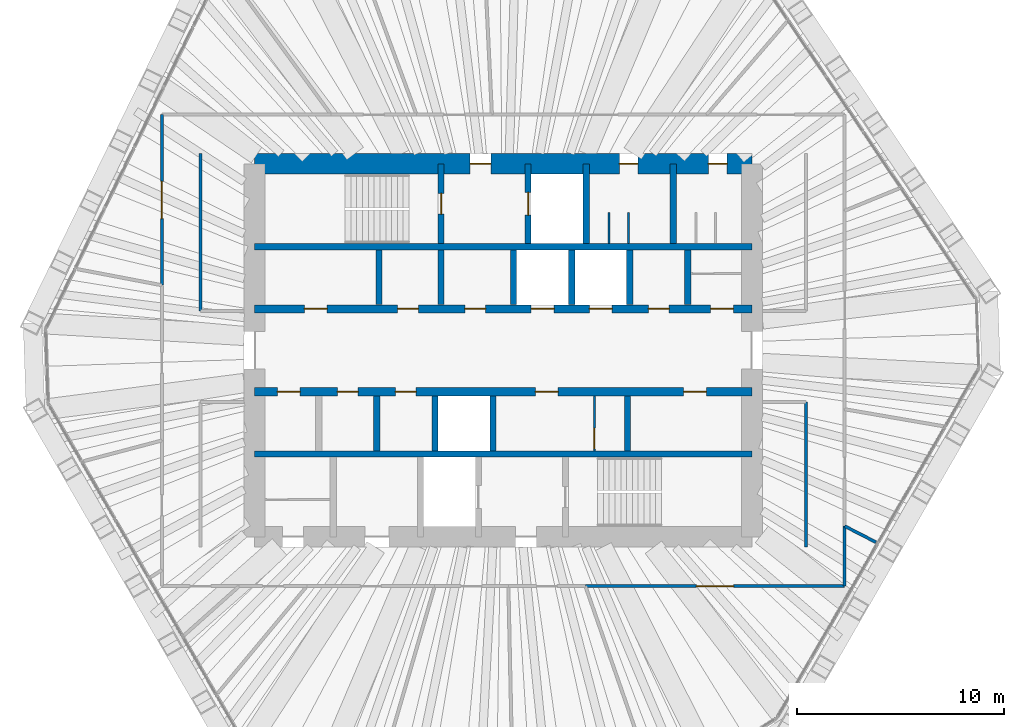
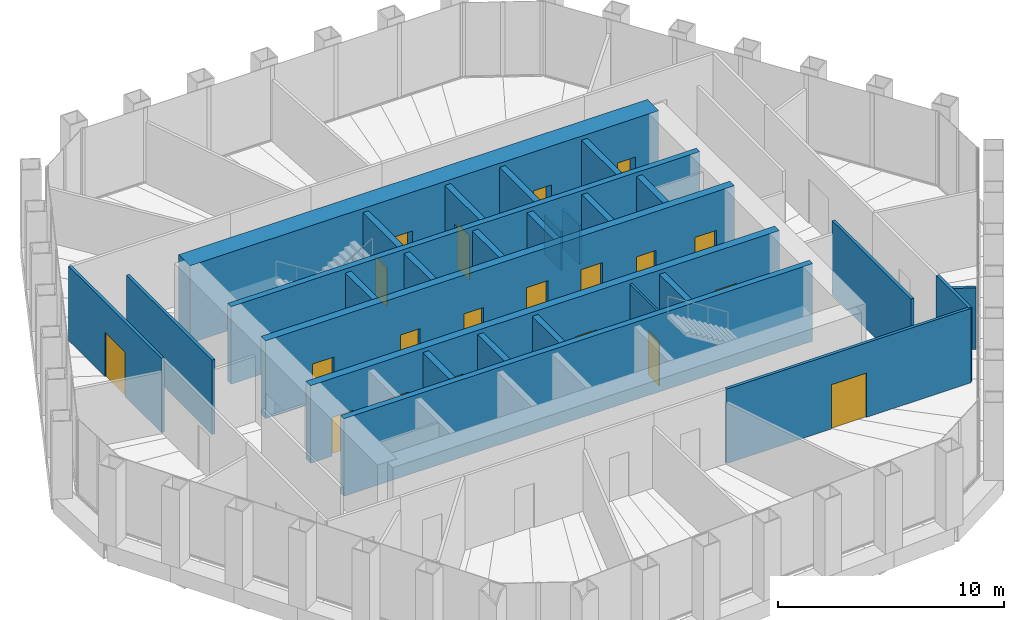
# One storey, part 12 of 14: 28 walls, 20 doors, 20 openings.
"""IFC4 building model written with IfcOpenShell, lengths in metres."""

import ifcopenshell
import ifcopenshell.guid

model = None  # the IFC model being written
_history = None  # IfcOwnerHistory: only IFC2X3 demands one
_inside = {}  # id of a spatial element -> (the spatial element, [elements in it])
_under = {}  # id of a project, library or spatial element -> (it, [spatial elements below it])
_declared = {}  # id of a project -> (the project, [libraries it declares])
_typed = {}  # id of a type object -> (the type object, [elements of that type])
_made_of = {}  # id of a material, layer set ... -> (it, [elements and type objects made of it])


def new_model(schema):
    """Start an empty IFC model of exactly this schema.

    Asked for "IFC4X3", IfcOpenShell would pick the latest addendum, in which some entities
    have other attributes; the version numbers below select the first issue.
    IFC2X3 requires an IfcOwnerHistory on every rooted entity: one is made here for all.
    """
    global model, _history
    if schema == "IFC4X3":
        model = ifcopenshell.file(schema_version=(4, 3, 0, 0))
    else:
        model = ifcopenshell.file(schema=schema)
    _inside.clear()
    _under.clear()
    _declared.clear()
    _typed.clear()
    _made_of.clear()
    _history = None
    if model.schema == "IFC2X3":
        org = make("IfcOrganization", Name="unknown")
        user = make(
            "IfcPersonAndOrganization",
            ThePerson=make("IfcPerson", FamilyName="unknown"),
            TheOrganization=org,
        )
        app = make(
            "IfcApplication",
            ApplicationDeveloper=org,
            Version="unknown",
            ApplicationFullName="unknown",
            ApplicationIdentifier="unknown",
        )
        _history = make(
            "IfcOwnerHistory",
            OwningUser=user,
            OwningApplication=app,
            ChangeAction="ADDED",
            CreationDate=0,
        )
    return model


def make(cls, **values):
    """One entity of the class cls with the attributes given. An attribute that is None is left unset."""
    return model.create_entity(
        cls, **{name: value for name, value in values.items() if value is not None}
    )


def rooted(cls, **values):
    """An entity with a GlobalId (a new one), such as an element, a storey or a relation."""
    return make(cls, GlobalId=ifcopenshell.guid.new(), OwnerHistory=_history, **values)


def si_unit(unit_type, name, prefix=None):
    """IfcSIUnit, for example si_unit("LENGTHUNIT", "METRE", prefix="MILLI")."""
    return make("IfcSIUnit", UnitType=unit_type, Prefix=prefix, Name=name)


def assignment(units):
    """IfcUnitAssignment: the units of a project."""
    return None if units is None else make("IfcUnitAssignment", Units=units)


def point(xyz):
    """IfcCartesianPoint."""
    return None if xyz is None else make("IfcCartesianPoint", Coordinates=xyz)


def direction(xyz):
    """IfcDirection."""
    return None if xyz is None else make("IfcDirection", DirectionRatios=xyz)


def frame(location, z_axis=None, x_axis=None):
    """IfcAxis2Placement3D, a coordinate frame: its origin and axes. An axis left out is left unset."""
    return make(
        "IfcAxis2Placement3D",
        Location=point(location),
        Axis=direction(z_axis),
        RefDirection=direction(x_axis),
    )


def frame_2d(location, x_axis=None):
    """IfcAxis2Placement2D, a coordinate frame in the plane: its origin and x axis."""
    return make(
        "IfcAxis2Placement2D", Location=point(location), RefDirection=direction(x_axis)
    )


def origin():
    """The frame at (0, 0, 0) with its axes left unset."""
    return frame((0.0, 0.0, 0.0))


def place(relative_to, where):
    """IfcLocalPlacement: puts the frame where relative to a parent placement (None: the world)."""
    return make(
        "IfcLocalPlacement", PlacementRelTo=relative_to, RelativePlacement=where
    )


def context(
    kind, dimensions, precision=None, world=None, true_north=None, identifier=None
):
    """IfcGeometricRepresentationContext, for example the 3D "Model" context."""
    return make(
        "IfcGeometricRepresentationContext",
        ContextIdentifier=identifier,
        ContextType=kind,
        CoordinateSpaceDimension=dimensions,
        Precision=precision,
        WorldCoordinateSystem=world,
        TrueNorth=true_north,
    )


def subcontext(parent, identifier, kind, view, scale=None):
    """IfcGeometricRepresentationSubContext, for example "Body" below "Model"."""
    return make(
        "IfcGeometricRepresentationSubContext",
        ContextIdentifier=identifier,
        ContextType=kind,
        ParentContext=parent,
        TargetScale=scale,
        TargetView=view,
    )


def project(units=None, contexts=None):
    """IfcProject with its units and contexts."""
    return rooted(
        "IfcProject",
        Name="project",
        RepresentationContexts=contexts,
        UnitsInContext=assignment(units),
    )


def spatial(cls, under=None, at=None, **own):
    """A site, building, storey or space (cls), placed at a placement, below another one or the project."""
    s = rooted(cls, ObjectPlacement=at, **own)
    if under is not None:
        _under.setdefault(under.id(), (under, []))[1].append(s)
    return s


def profile(cls, at=None, kind="AREA", **sizes):
    """A parametric profile (cls). Its sizes go by their IFC names, for example OverallWidth=200.0."""
    return make(cls, ProfileType=kind, Position=at, **sizes)


def rectangle(**sizes):
    """IfcRectangleProfileDef."""
    return profile("IfcRectangleProfileDef", **sizes)


def extrude(swept, where, along, depth):
    """IfcExtrudedAreaSolid: the profile swept, set in the frame where, extruded along a direction by depth."""
    return make(
        "IfcExtrudedAreaSolid",
        SweptArea=swept,
        Position=where,
        ExtrudedDirection=direction(along),
        Depth=depth,
    )


def shape(context_of_items, identifier, shape_type, items):
    """IfcShapeRepresentation: the items that make up one representation, for example the "Body"."""
    return make(
        "IfcShapeRepresentation",
        ContextOfItems=context_of_items,
        RepresentationIdentifier=identifier,
        RepresentationType=shape_type,
        Items=items,
    )


def material(Name=None, Category=None):
    """IfcMaterial."""
    return make("IfcMaterial", Name=Name, Category=Category)


def layer(
    of_material, thickness, ventilated=None, Name=None, Category=None, Priority=None
):
    """IfcMaterialLayer: one layer of a wall or slab, of a material (None: an air gap)."""
    return make(
        "IfcMaterialLayer",
        Material=of_material,
        LayerThickness=thickness,
        IsVentilated=ventilated,
        Name=Name,
        Category=Category,
        Priority=Priority,
    )


def layer_set(layers, Name=None):
    """IfcMaterialLayerSet."""
    return make("IfcMaterialLayerSet", MaterialLayers=layers, LayerSetName=Name)


def made_of(thing, what):
    """Note that an element or type object is made of a material, layer set ...; save() writes the relation."""
    if what is not None:
        _made_of.setdefault(what.id(), (what, []))[1].append(thing)
    return thing


def type_object(cls, material=None, **own):
    """A type object (cls), such as IfcWallType, which elements share."""
    return made_of(rooted(cls, **own), material)


def element(
    cls,
    number,
    at=None,
    inside=None,
    cuts=None,
    type_object=None,
    material=None,
    context=None,
    identifier="Body",
    shape_type=None,
    held_by="IfcProductDefinitionShape",
    body=None,
    shapes=None,
    **own,
):
    """One element of the class cls, such as IfcWall. Its Tag is "e" and its number.

    at: its placement. inside: the storey or other place that contains it. cuts: it is an
    opening in that element (IfcRelVoidsElement). A single representation is given by context,
    identifier, shape_type and body (its items); several are given by shapes. held_by: the class
    of the entity that holds the representations. save() writes the other relations.
    """
    e = rooted(cls, Tag="e%d" % number, ObjectPlacement=at, **own)
    if body is not None:
        shapes = [shape(context, identifier, shape_type, body)]
    if shapes is not None:
        e.Representation = make(held_by, Representations=shapes)
    if inside is not None:
        _inside.setdefault(inside.id(), (inside, []))[1].append(e)
    if cuts is not None:
        rooted(
            "IfcRelVoidsElement", RelatingBuildingElement=cuts, RelatedOpeningElement=e
        )
    if type_object is not None:
        _typed.setdefault(type_object.id(), (type_object, []))[1].append(e)
    return made_of(e, material)


def fill(opening, filler):
    """IfcRelFillsElement: the door or window that sits in an opening."""
    return rooted(
        "IfcRelFillsElement",
        RelatingOpeningElement=opening,
        RelatedBuildingElement=filler,
    )


def aggregate(whole, parts):
    """IfcRelAggregates: a whole, such as a stair, and the parts it consists of."""
    return rooted("IfcRelAggregates", RelatingObject=whole, RelatedObjects=parts)


def save(model, path):
    """Write the relations noted so far, then the file.

    IfcRelAggregates (storeys below a building ...), IfcRelContainedInSpatialStructure (elements
    in a storey), IfcRelDefinesByType, IfcRelAssociatesMaterial and IfcRelDeclares: one each for
    every whole, place, type object, material and project.
    """
    for whole, parts in _under.values():
        aggregate(whole, parts)
    for where, things in _inside.values():
        rooted(
            "IfcRelContainedInSpatialStructure",
            RelatedElements=things,
            RelatingStructure=where,
        )
    for kind, things in _typed.values():
        rooted("IfcRelDefinesByType", RelatedObjects=things, RelatingType=kind)
    for what, things in _made_of.values():
        rooted("IfcRelAssociatesMaterial", RelatedObjects=things, RelatingMaterial=what)
    for by, libraries in _declared.values():
        rooted("IfcRelDeclares", RelatingContext=by, RelatedDefinitions=libraries)
    model.write(path)


model = new_model("IFC4")

# Units and contexts
model_context = context("Model", 3, precision=1e-05, world=origin(), true_north=direction((0.0, 1.0)))
body_context = subcontext(model_context, "Body", "Model", "MODEL_VIEW")
ifc_project = project(units=[si_unit("LENGTHUNIT", "METRE"), si_unit("AREAUNIT", "SQUARE_METRE"), si_unit("VOLUMEUNIT", "CUBIC_METRE"), si_unit("PLANEANGLEUNIT", "RADIAN"), si_unit("MASSUNIT", "GRAM", prefix="KILO")], contexts=[model_context])

# Site, building, storey
site_placement = place(None, origin())
site = spatial("IfcSite", under=ifc_project, at=site_placement, CompositionType="ELEMENT")
building_placement = place(site_placement, origin())
building = spatial("IfcBuilding", under=site, at=building_placement, Name="Qingtian Harvest Tower", CompositionType="ELEMENT")
storey_placement = place(building_placement, frame((0.0, 0.0, 266.199951171875)))
storey = spatial("IfcBuildingStorey", under=building, at=storey_placement, Name="L58", CompositionType="ELEMENT", Elevation=266.199951171875)

# Walls
ifc_material_1 = material(Name="Concrete fc' 70 MPa", Category="concrete")
ifc_layer_1 = layer(ifc_material_1, 0.300048828125)
ifc_layer_set_1 = layer_set([ifc_layer_1], Name="Core inner wall RC5 300")
wall_type_1 = type_object("IfcWallType", Name="Core inner wall RC5 300", PredefinedType="SHEAR", material=ifc_layer_set_1)
for number, where, z_axis, x_axis, name in (
    (1, (-12.0, 5.0, 0.0), (0.0, 0.0, 1.0), (1.0, 0.0, 0.0), "Core wall IN5 L58"),
    (2, (-12.0, -5.0, 0.0), (0.0, 0.0, 1.0), (1.0, 0.0, 0.0), "Core wall IS5 L58"),
):
    element("IfcWall", number, at=place(storey_placement, frame(where, z_axis=z_axis, x_axis=x_axis)), inside=storey, type_object=wall_type_1, Name=name, PredefinedType="SHEAR", context=body_context, shape_type="SweptSolid", body=[
        extrude(rectangle(XDim=24.0, YDim=0.300048828125, at=frame_2d((12.0, 0.0))), origin(), (0.0, 0.0, 1.0), 4.199951171875),
    ])

# Wall, openings, doors
ifc_material_2 = material(Name="Concrete fc' 70 MPa", Category="concrete")
ifc_layer_2 = layer(ifc_material_2, 0.39990234375)
ifc_layer_set_2 = layer_set([ifc_layer_2], Name="Core inner web RC6 400")
wall_type_2 = type_object("IfcWallType", Name="Core inner web RC6 400", PredefinedType="SHEAR", material=ifc_layer_set_2)
wall_1_placement = place(storey_placement, frame((-12.0, 2.0, 0.0), z_axis=(0.0, 0.0, 1.0), x_axis=(1.0, 0.0, 0.0)))
wall_1 = element("IfcWall", 3, at=wall_1_placement, inside=storey, type_object=wall_type_2, Name="Core wall IN2 L58", PredefinedType="SHEAR", context=body_context, shape_type="SweptSolid", body=[
    extrude(rectangle(XDim=24.0, YDim=0.39990234375, at=frame_2d((12.0, 0.0))), origin(), (0.0, 0.0, 1.0), 4.199951171875),
])
opening_1_placement = place(wall_1_placement, frame((2.39990234375, 0.0, 0.0)))
opening_1 = element("IfcOpeningElement", 4, at=opening_1_placement, cuts=wall_1, Name="Opening FD4", PredefinedType="OPENING", context=body_context, shape_type="SweptSolid", body=[
    extrude(rectangle(XDim=1.10009765625, YDim=2.10009765625, at=frame_2d((0.550048828125, 1.050048828125))), frame((0.0, 0.2099609375, 0.0), z_axis=(0.0, -1.0, 0.0), x_axis=(1.0, 0.0, 0.0)), (0.0, 0.0, 1.0), 0.419921875),
])
opening_2_placement = place(wall_1_placement, frame((22.0, 0.0, 0.0)))
opening_2 = element("IfcOpeningElement", 5, at=opening_2_placement, cuts=wall_1, Name="Opening FD4", PredefinedType="OPENING", context=body_context, shape_type="SweptSolid", body=[
    extrude(rectangle(XDim=1.10009765625, YDim=2.10009765625, at=frame_2d((0.550048828125, 1.050048828125))), frame((0.0, 0.2099609375, 0.0), z_axis=(0.0, -1.0, 0.0), x_axis=(1.0, 0.0, 0.0)), (0.0, 0.0, 1.0), 0.419921875),
])
opening_3_placement = place(wall_1_placement, frame((10.14990234375, 0.0, 0.0)))
opening_3 = element("IfcOpeningElement", 6, at=opening_3_placement, cuts=wall_1, Name="Opening FD1", PredefinedType="OPENING", context=body_context, shape_type="SweptSolid", body=[
    extrude(rectangle(XDim=1.0, YDim=2.10009765625, at=frame_2d((0.5, 1.050048828125))), frame((0.0, 0.2099609375, 0.0), z_axis=(0.0, -1.0, 0.0), x_axis=(1.0, 0.0, 0.0)), (0.0, 0.0, 1.0), 0.419921875),
])
opening_4_placement = place(wall_1_placement, frame((6.89990234375, 0.0, 0.0)))
opening_4 = element("IfcOpeningElement", 7, at=opening_4_placement, cuts=wall_1, Name="Opening FD1", PredefinedType="OPENING", context=body_context, shape_type="SweptSolid", body=[
    extrude(rectangle(XDim=1.0, YDim=2.10009765625, at=frame_2d((0.5, 1.050048828125))), frame((0.0, 0.2099609375, 0.0), z_axis=(0.0, -1.0, 0.0), x_axis=(1.0, 0.0, 0.0)), (0.0, 0.0, 1.0), 0.419921875),
])
opening_5_placement = place(wall_1_placement, frame((13.35009765625, 0.0, 0.0)))
opening_5 = element("IfcOpeningElement", 8, at=opening_5_placement, cuts=wall_1, Name="Opening LD1", PredefinedType="OPENING", context=body_context, shape_type="SweptSolid", body=[
    extrude(rectangle(XDim=1.10009765625, YDim=2.39990234375, at=frame_2d((0.550048828125, 1.199951171875))), frame((0.0, 0.2099609375, 0.0), z_axis=(0.0, -1.0, 0.0), x_axis=(1.0, 0.0, 0.0)), (0.0, 0.0, 1.0), 0.419921875),
])
opening_6_placement = place(wall_1_placement, frame((16.14990234375, 0.0, 0.0)))
opening_6 = element("IfcOpeningElement", 9, at=opening_6_placement, cuts=wall_1, Name="Opening LD1", PredefinedType="OPENING", context=body_context, shape_type="SweptSolid", body=[
    extrude(rectangle(XDim=1.10009765625, YDim=2.39990234375, at=frame_2d((0.550048828125, 1.199951171875))), frame((0.0, 0.2099609375, 0.0), z_axis=(0.0, -1.0, 0.0), x_axis=(1.0, 0.0, 0.0)), (0.0, 0.0, 1.0), 0.419921875),
])
opening_7_placement = place(wall_1_placement, frame((19.0, 0.0, 0.0)))
opening_7 = element("IfcOpeningElement", 10, at=opening_7_placement, cuts=wall_1, Name="Opening FD1", PredefinedType="OPENING", context=body_context, shape_type="SweptSolid", body=[
    extrude(rectangle(XDim=1.0, YDim=2.10009765625, at=frame_2d((0.5, 1.050048828125))), frame((0.0, 0.2099609375, 0.0), z_axis=(0.0, -1.0, 0.0), x_axis=(1.0, 0.0, 0.0)), (0.0, 0.0, 1.0), 0.419921875),
])
ifc_material_3 = material(Name="Steel-faced door leaf", Category="steel")
door_type_1 = type_object("IfcDoorType", Name="Fire door FD1 single 1 HR", OperationType="SINGLE_SWING_LEFT", PredefinedType="DOOR", material=ifc_material_3)
door_1_placement = place(opening_3_placement, origin())
door_1 = element("IfcDoor", 11, at=door_1_placement, inside=storey, type_object=door_type_1, Name="STA door L58", OperationType="SINGLE_SWING_RIGHT", OverallHeight=2.10009765625, OverallWidth=1.0, PredefinedType="DOOR", context=body_context, shape_type="SweptSolid", body=[
    extrude(rectangle(XDim=1.0, YDim=2.10009765625, at=frame_2d((0.5, 1.050048828125))), frame((0.0, 0.02490234375, 0.0), z_axis=(0.0, -1.0, 0.0), x_axis=(1.0, 0.0, 0.0)), (0.0, 0.0, 1.0), 0.050048828125),
])
fill(opening_3, door_1)
door_2_placement = place(opening_4_placement, origin())
door_2 = element("IfcDoor", 12, at=door_2_placement, inside=storey, type_object=door_type_1, Name="IT room door L58", OperationType="SINGLE_SWING_RIGHT", OverallHeight=2.10009765625, OverallWidth=1.0, PredefinedType="DOOR", context=body_context, shape_type="SweptSolid", body=[
    extrude(rectangle(XDim=1.0, YDim=2.10009765625, at=frame_2d((0.5, 1.050048828125))), frame((0.0, 0.02490234375, 0.0), z_axis=(0.0, -1.0, 0.0), x_axis=(1.0, 0.0, 0.0)), (0.0, 0.0, 1.0), 0.050048828125),
])
fill(opening_4, door_2)
door_3_placement = place(opening_7_placement, origin())
door_3 = element("IfcDoor", 13, at=door_3_placement, inside=storey, type_object=door_type_1, Name="Tool store door L58", OperationType="SINGLE_SWING_RIGHT", OverallHeight=2.10009765625, OverallWidth=1.0, PredefinedType="DOOR", context=body_context, shape_type="SweptSolid", body=[
    extrude(rectangle(XDim=1.0, YDim=2.10009765625, at=frame_2d((0.5, 1.050048828125))), frame((0.0, 0.02490234375, 0.0), z_axis=(0.0, -1.0, 0.0), x_axis=(1.0, 0.0, 0.0)), (0.0, 0.0, 1.0), 0.050048828125),
])
fill(opening_7, door_3)
ifc_material_4 = material(Name="Steel-faced door leaf", Category="steel")
door_type_2 = type_object("IfcDoorType", Name="Fire door FD4 single 2 HR", OperationType="SINGLE_SWING_LEFT", PredefinedType="DOOR", material=ifc_material_4)
door_4_placement = place(opening_1_placement, origin())
door_4 = element("IfcDoor", 14, at=door_4_placement, inside=storey, type_object=door_type_2, Name="RA door L58", OperationType="SINGLE_SWING_LEFT", OverallHeight=2.10009765625, OverallWidth=1.10009765625, PredefinedType="DOOR", context=body_context, shape_type="SweptSolid", body=[
    extrude(rectangle(XDim=1.10009765625, YDim=2.10009765625, at=frame_2d((0.550048828125, 1.050048828125))), frame((0.0, 0.02490234375, 0.0), z_axis=(0.0, -1.0, 0.0), x_axis=(1.0, 0.0, 0.0)), (0.0, 0.0, 1.0), 0.050048828125),
])
fill(opening_1, door_4)
door_5_placement = place(opening_2_placement, origin())
door_5 = element("IfcDoor", 15, at=door_5_placement, inside=storey, type_object=door_type_2, Name="AHU door L58", OperationType="SINGLE_SWING_LEFT", OverallHeight=2.10009765625, OverallWidth=1.10009765625, PredefinedType="DOOR", context=body_context, shape_type="SweptSolid", body=[
    extrude(rectangle(XDim=1.10009765625, YDim=2.10009765625, at=frame_2d((0.550048828125, 1.050048828125))), frame((0.0, 0.02490234375, 0.0), z_axis=(0.0, -1.0, 0.0), x_axis=(1.0, 0.0, 0.0)), (0.0, 0.0, 1.0), 0.050048828125),
])
fill(opening_2, door_5)
ifc_material_5 = material(Name="Stainless steel lift landing door", Category="steel")
door_type_3 = type_object("IfcDoorType", Name="Lift landing door LD1 1 HR", OperationType="DOUBLE_DOOR_SLIDING", PredefinedType="DOOR", material=ifc_material_5)
door_6_placement = place(opening_5_placement, origin())
door_6 = element("IfcDoor", 16, at=door_6_placement, inside=storey, type_object=door_type_3, Name="PLD1 landing door L58", OperationType="DOUBLE_DOOR_SLIDING", OverallHeight=2.39990234375, OverallWidth=1.10009765625, PredefinedType="DOOR", context=body_context, shape_type="SweptSolid", body=[
    extrude(rectangle(XDim=1.10009765625, YDim=2.39990234375, at=frame_2d((0.550048828125, 1.199951171875))), frame((0.0, 0.02490234375, 0.0), z_axis=(0.0, -1.0, 0.0), x_axis=(1.0, 0.0, 0.0)), (0.0, 0.0, 1.0), 0.050048828125),
])
fill(opening_5, door_6)
door_7_placement = place(opening_6_placement, origin())
door_7 = element("IfcDoor", 17, at=door_7_placement, inside=storey, type_object=door_type_3, Name="PLD2 landing door L58", OperationType="DOUBLE_DOOR_SLIDING", OverallHeight=2.39990234375, OverallWidth=1.10009765625, PredefinedType="DOOR", context=body_context, shape_type="SweptSolid", body=[
    extrude(rectangle(XDim=1.10009765625, YDim=2.39990234375, at=frame_2d((0.550048828125, 1.199951171875))), frame((0.0, 0.02490234375, 0.0), z_axis=(0.0, -1.0, 0.0), x_axis=(1.0, 0.0, 0.0)), (0.0, 0.0, 1.0), 0.050048828125),
])
fill(opening_6, door_7)

wall_2_placement = place(storey_placement, frame((-12.0, -2.0, 0.0), z_axis=(0.0, 0.0, 1.0), x_axis=(1.0, 0.0, 0.0)))
wall_2 = element("IfcWall", 18, at=wall_2_placement, inside=storey, type_object=wall_type_2, Name="Core wall IS2 L58", PredefinedType="SHEAR", context=body_context, shape_type="SweptSolid", body=[
    extrude(rectangle(XDim=24.0, YDim=0.39990234375, at=frame_2d((12.0, 0.0))), origin(), (0.0, 0.0, 1.0), 4.199951171875),
])
opening_8_placement = place(wall_2_placement, frame((1.10009765625, 0.0, 0.0)))
opening_8 = element("IfcOpeningElement", 19, at=opening_8_placement, cuts=wall_2, Name="Opening FD4", PredefinedType="OPENING", context=body_context, shape_type="SweptSolid", body=[
    extrude(rectangle(XDim=1.10009765625, YDim=2.10009765625, at=frame_2d((0.550048828125, 1.050048828125))), frame((0.0, 0.2099609375, 0.0), z_axis=(0.0, -1.0, 0.0), x_axis=(1.0, 0.0, 0.0)), (0.0, 0.0, 1.0), 0.419921875),
])
opening_9_placement = place(wall_2_placement, frame((13.550048828125, 0.0, 0.0)))
opening_9 = element("IfcOpeningElement", 20, at=opening_9_placement, cuts=wall_2, Name="Opening FD4", PredefinedType="OPENING", context=body_context, shape_type="SweptSolid", body=[
    extrude(rectangle(XDim=1.10009765625, YDim=2.10009765625, at=frame_2d((0.550048828125, 1.050048828125))), frame((0.0, 0.2099609375, 0.0), z_axis=(0.0, -1.0, 0.0), x_axis=(1.0, 0.0, 0.0)), (0.0, 0.0, 1.0), 0.419921875),
])
opening_10_placement = place(wall_2_placement, frame((20.699951171875, 0.0, 0.0)))
opening_10 = element("IfcOpeningElement", 21, at=opening_10_placement, cuts=wall_2, Name="Opening FD4", PredefinedType="OPENING", context=body_context, shape_type="SweptSolid", body=[
    extrude(rectangle(XDim=1.10009765625, YDim=2.10009765625, at=frame_2d((0.550048828125, 1.050048828125))), frame((0.0, 0.2099609375, 0.0), z_axis=(0.0, -1.0, 0.0), x_axis=(1.0, 0.0, 0.0)), (0.0, 0.0, 1.0), 0.419921875),
])
opening_11_placement = place(wall_2_placement, frame((4.0, 0.0, 0.0)))
opening_11 = element("IfcOpeningElement", 22, at=opening_11_placement, cuts=wall_2, Name="Opening FD1", PredefinedType="OPENING", context=body_context, shape_type="SweptSolid", body=[
    extrude(rectangle(XDim=1.0, YDim=2.10009765625, at=frame_2d((0.5, 1.050048828125))), frame((0.0, 0.2099609375, 0.0), z_axis=(0.0, -1.0, 0.0), x_axis=(1.0, 0.0, 0.0)), (0.0, 0.0, 1.0), 0.419921875),
])
opening_12_placement = place(wall_2_placement, frame((6.800048828125, 0.0, 0.0)))
opening_12 = element("IfcOpeningElement", 23, at=opening_12_placement, cuts=wall_2, Name="Opening FD1", PredefinedType="OPENING", context=body_context, shape_type="SweptSolid", body=[
    extrude(rectangle(XDim=1.0, YDim=2.10009765625, at=frame_2d((0.5, 1.050048828125))), frame((0.0, 0.2099609375, 0.0), z_axis=(0.0, -1.0, 0.0), x_axis=(1.0, 0.0, 0.0)), (0.0, 0.0, 1.0), 0.419921875),
])
door_8_placement = place(opening_11_placement, origin())
door_8 = element("IfcDoor", 24, at=door_8_placement, inside=storey, type_object=door_type_1, Name="Archive store door L58", OperationType="SINGLE_SWING_RIGHT", OverallHeight=2.10009765625, OverallWidth=1.0, PredefinedType="DOOR", context=body_context, shape_type="SweptSolid", body=[
    extrude(rectangle(XDim=1.0, YDim=2.10009765625, at=frame_2d((0.5, 1.050048828125))), frame((0.0, 0.02490234375, 0.0), z_axis=(0.0, -1.0, 0.0), x_axis=(1.0, 0.0, 0.0)), (0.0, 0.0, 1.0), 0.050048828125),
])
fill(opening_11, door_8)
door_9_placement = place(opening_12_placement, origin())
door_9 = element("IfcDoor", 25, at=door_9_placement, inside=storey, type_object=door_type_1, Name="Staff WC door L58", OperationType="SINGLE_SWING_RIGHT", OverallHeight=2.10009765625, OverallWidth=1.0, PredefinedType="DOOR", context=body_context, shape_type="SweptSolid", body=[
    extrude(rectangle(XDim=1.0, YDim=2.10009765625, at=frame_2d((0.5, 1.050048828125))), frame((0.0, 0.02490234375, 0.0), z_axis=(0.0, -1.0, 0.0), x_axis=(1.0, 0.0, 0.0)), (0.0, 0.0, 1.0), 0.050048828125),
])
fill(opening_12, door_9)
door_10_placement = place(opening_8_placement, origin())
door_10 = element("IfcDoor", 26, at=door_10_placement, inside=storey, type_object=door_type_2, Name="RB door L58", OperationType="SINGLE_SWING_LEFT", OverallHeight=2.10009765625, OverallWidth=1.10009765625, PredefinedType="DOOR", context=body_context, shape_type="SweptSolid", body=[
    extrude(rectangle(XDim=1.10009765625, YDim=2.10009765625, at=frame_2d((0.550048828125, 1.050048828125))), frame((0.0, 0.02490234375, 0.0), z_axis=(0.0, -1.0, 0.0), x_axis=(1.0, 0.0, 0.0)), (0.0, 0.0, 1.0), 0.050048828125),
])
fill(opening_8, door_10)
door_11_placement = place(opening_9_placement, origin())
door_11 = element("IfcDoor", 27, at=door_11_placement, inside=storey, type_object=door_type_2, Name="ELEC door L58", OperationType="SINGLE_SWING_LEFT", OverallHeight=2.10009765625, OverallWidth=1.10009765625, PredefinedType="DOOR", context=body_context, shape_type="SweptSolid", body=[
    extrude(rectangle(XDim=1.10009765625, YDim=2.10009765625, at=frame_2d((0.550048828125, 1.050048828125))), frame((0.0, 0.02490234375, 0.0), z_axis=(0.0, -1.0, 0.0), x_axis=(1.0, 0.0, 0.0)), (0.0, 0.0, 1.0), 0.050048828125),
])
fill(opening_9, door_11)
door_12_placement = place(opening_10_placement, origin())
door_12 = element("IfcDoor", 28, at=door_12_placement, inside=storey, type_object=door_type_2, Name="DUCT door L58", OperationType="SINGLE_SWING_RIGHT", OverallHeight=2.10009765625, OverallWidth=1.10009765625, PredefinedType="DOOR", context=body_context, shape_type="SweptSolid", body=[
    extrude(rectangle(XDim=1.10009765625, YDim=2.10009765625, at=frame_2d((0.550048828125, 1.050048828125))), frame((0.0, 0.02490234375, 0.0), z_axis=(0.0, -1.0, 0.0), x_axis=(1.0, 0.0, 0.0)), (0.0, 0.0, 1.0), 0.050048828125),
])
fill(opening_10, door_12)

# Wall, opening, door
ifc_material_6 = material(Name="Precast concrete shaft panel", Category="concrete")
ifc_layer_3 = layer(ifc_material_6, 0.300048828125)
ifc_layer_set_3 = layer_set([ifc_layer_3], Name="Core shaft partition SW1 300")
wall_type_3 = type_object("IfcWallType", Name="Core shaft partition SW1 300", PredefinedType="PARTITIONING", material=ifc_layer_set_3)
wall_3_placement = place(storey_placement, frame((-3.0, 5.14990234375, 0.0), z_axis=(0.0, 0.0, 1.0), x_axis=(0.0, 1.0, 0.0)))
wall_3 = element("IfcWall", 29, at=wall_3_placement, inside=storey, type_object=wall_type_3, Name="Core shaft partition XN1 L58", PredefinedType="PARTITIONING", context=body_context, shape_type="SweptSolid", body=[
    extrude(rectangle(XDim=3.85009765625, YDim=0.300048828125, at=frame_2d((1.925048828125, 0.0))), origin(), (0.0, 0.0, 1.0), 3.97998046875),
])
opening_13_placement = place(wall_3_placement, frame((1.425048828125, 0.0, 0.0)))
opening_13 = element("IfcOpeningElement", 30, at=opening_13_placement, cuts=wall_3, Name="Opening FD1", PredefinedType="OPENING", context=body_context, shape_type="SweptSolid", body=[
    extrude(rectangle(XDim=1.0, YDim=2.10009765625, at=frame_2d((0.5, 1.050048828125))), frame((0.0, 0.159912109375, 0.0), z_axis=(0.0, -1.0, 0.0), x_axis=(1.0, 0.0, 0.0)), (0.0, 0.0, 1.0), 0.320068359375),
])
door_13_placement = place(opening_13_placement, origin())
door_13 = element("IfcDoor", 31, at=door_13_placement, inside=storey, type_object=door_type_1, Name="S1 door L58", OperationType="SINGLE_SWING_LEFT", OverallHeight=2.10009765625, OverallWidth=1.0, PredefinedType="DOOR", context=body_context, shape_type="SweptSolid", body=[
    extrude(rectangle(XDim=1.0, YDim=2.10009765625, at=frame_2d((0.5, 1.050048828125))), frame((0.0, 0.02490234375, 0.0), z_axis=(0.0, -1.0, 0.0), x_axis=(1.0, 0.0, 0.0)), (0.0, 0.0, 1.0), 0.050048828125),
])
fill(opening_13, door_13)

wall_4_placement = place(storey_placement, frame((1.199951171875, 5.14990234375, 0.0), z_axis=(0.0, 0.0, 1.0), x_axis=(0.0, 1.0, 0.0)))
wall_4 = element("IfcWall", 32, at=wall_4_placement, inside=storey, type_object=wall_type_3, Name="Core shaft partition XN2 L58", PredefinedType="PARTITIONING", context=body_context, shape_type="SweptSolid", body=[
    extrude(rectangle(XDim=3.85009765625, YDim=0.300048828125, at=frame_2d((1.925048828125, 0.0))), origin(), (0.0, 0.0, 1.0), 3.97998046875),
])
opening_14_placement = place(wall_4_placement, frame((1.375, 0.0, 0.0)))
opening_14 = element("IfcOpeningElement", 33, at=opening_14_placement, cuts=wall_4, Name="Opening LD1", PredefinedType="OPENING", context=body_context, shape_type="SweptSolid", body=[
    extrude(rectangle(XDim=1.10009765625, YDim=2.39990234375, at=frame_2d((0.550048828125, 1.199951171875))), frame((0.0, 0.159912109375, 0.0), z_axis=(0.0, -1.0, 0.0), x_axis=(1.0, 0.0, 0.0)), (0.0, 0.0, 1.0), 0.320068359375),
])
door_14_placement = place(opening_14_placement, origin())
door_14 = element("IfcDoor", 34, at=door_14_placement, inside=storey, type_object=door_type_3, Name="FL1 landing door L58", OperationType="DOUBLE_DOOR_SLIDING", OverallHeight=2.39990234375, OverallWidth=1.10009765625, PredefinedType="DOOR", context=body_context, shape_type="SweptSolid", body=[
    extrude(rectangle(XDim=1.10009765625, YDim=2.39990234375, at=frame_2d((0.550048828125, 1.199951171875))), frame((0.0, 0.02490234375, 0.0), z_axis=(0.0, -1.0, 0.0), x_axis=(1.0, 0.0, 0.0)), (0.0, 0.0, 1.0), 0.050048828125),
])
fill(opening_14, door_14)

# Walls
for number, where, z_axis, x_axis, name in (
    (35, (4.0, 5.14990234375, 0.0), (0.0, 0.0, 1.0), (0.0, 1.0, 0.0), "Core shaft partition XN3 L58"),
    (36, (8.199951171875, 5.14990234375, 0.0), (0.0, 0.0, 1.0), (0.0, 1.0, 0.0), "Core shaft partition XN4 L58"),
):
    element("IfcWall", number, at=place(storey_placement, frame(where, z_axis=z_axis, x_axis=x_axis)), inside=storey, type_object=wall_type_3, Name=name, PredefinedType="PARTITIONING", context=body_context, shape_type="SweptSolid", body=[
        extrude(rectangle(XDim=3.85009765625, YDim=0.300048828125, at=frame_2d((1.925048828125, 0.0))), origin(), (0.0, 0.0, 1.0), 3.97998046875),
    ])
for number, where, z_axis, x_axis, name in (
    (37, (-6.0, 2.199951171875, 0.0), (0.0, 0.0, 1.0), (0.0, 1.0, 0.0), "Core shaft partition XA1 L58"),
    (38, (-3.0, 2.199951171875, 0.0), (0.0, 0.0, 1.0), (0.0, 1.0, 0.0), "Core shaft partition XA2 L58"),
    (39, (0.5, 2.199951171875, 0.0), (0.0, 0.0, 1.0), (0.0, 1.0, 0.0), "Core shaft partition XA3 L58"),
    (40, (3.300048828125, 2.199951171875, 0.0), (0.0, 0.0, 1.0), (0.0, 1.0, 0.0), "Core shaft partition XA4 L58"),
    (41, (6.10009765625, 2.199951171875, 0.0), (0.0, 0.0, 1.0), (0.0, 1.0, 0.0), "Core shaft partition XA5 L58"),
    (42, (8.89990234375, 2.199951171875, 0.0), (0.0, 0.0, 1.0), (0.0, 1.0, 0.0), "Core shaft partition XA6 L58"),
    (43, (-6.10009765625, -4.85009765625, 0.0), (0.0, 0.0, 1.0), (0.0, 1.0, 0.0), "Core shaft partition XB2 L58"),
    (44, (-3.300048828125, -4.85009765625, 0.0), (0.0, 0.0, 1.0), (0.0, 1.0, 0.0), "Core shaft partition XB3 L58"),
    (45, (-0.5, -4.85009765625, 0.0), (0.0, 0.0, 1.0), (0.0, 1.0, 0.0), "Core shaft partition XB4 L58"),
    (46, (6.0, -4.85009765625, 0.0), (0.0, 0.0, 1.0), (0.0, 1.0, 0.0), "Core shaft partition XB5 L58"),
):
    element("IfcWall", number, at=place(storey_placement, frame(where, z_axis=z_axis, x_axis=x_axis)), inside=storey, type_object=wall_type_3, Name=name, PredefinedType="PARTITIONING", context=body_context, shape_type="SweptSolid", body=[
        extrude(rectangle(XDim=2.650146484375, YDim=0.300048828125, at=frame_2d((1.3251953125, 0.0))), origin(), (0.0, 0.0, 1.0), 3.97998046875),
    ])

# Wall, openings, doors
ifc_material_7 = material(Name="Concrete fc' 70 MPa", Category="concrete")
ifc_layer_4 = layer(ifc_material_7, 1.0)
ifc_layer_set_4 = layer_set([ifc_layer_4], Name="Core wall RC3 1000")
wall_type_4 = type_object("IfcWallType", Name="Core wall RC3 1000", PredefinedType="SHEAR", material=ifc_layer_set_4)
wall_5_placement = place(storey_placement, frame((-12.0, 9.0, 0.0), z_axis=(0.0, 0.0, 1.0), x_axis=(1.0, 0.0, 0.0)))
wall_5 = element("IfcWall", 47, at=wall_5_placement, inside=storey, type_object=wall_type_4, Name="Core wall CN L58", PredefinedType="SHEAR", context=body_context, shape_type="SweptSolid", body=[
    extrude(rectangle(XDim=24.0, YDim=1.0, at=frame_2d((12.0, 0.0))), origin(), (0.0, 0.0, 1.0), 4.199951171875),
])
opening_15_placement = place(wall_5_placement, frame((10.39990234375, 0.0, 0.0)))
opening_15 = element("IfcOpeningElement", 48, at=opening_15_placement, cuts=wall_5, Name="Opening FD1", PredefinedType="OPENING", context=body_context, shape_type="SweptSolid", body=[
    extrude(rectangle(XDim=1.0, YDim=2.10009765625, at=frame_2d((0.5, 1.050048828125))), frame((0.0, 0.510009765625, 0.0), z_axis=(0.0, -1.0, 0.0), x_axis=(1.0, 0.0, 0.0)), (0.0, 0.0, 1.0), 1.02001953125),
])
opening_16_placement = place(wall_5_placement, frame((17.60009765625, 0.0, 0.0)))
opening_16 = element("IfcOpeningElement", 49, at=opening_16_placement, cuts=wall_5, Name="Opening D1", PredefinedType="OPENING", context=body_context, shape_type="SweptSolid", body=[
    extrude(rectangle(XDim=0.89990234375, YDim=2.10009765625, at=frame_2d((0.449951171875, 1.050048828125))), frame((0.0, 0.510009765625, 0.0), z_axis=(0.0, -1.0, 0.0), x_axis=(1.0, 0.0, 0.0)), (0.0, 0.0, 1.0), 1.02001953125),
])
opening_17_placement = place(wall_5_placement, frame((21.89990234375, 0.0, 0.0)))
opening_17 = element("IfcOpeningElement", 50, at=opening_17_placement, cuts=wall_5, Name="Opening D1", PredefinedType="OPENING", context=body_context, shape_type="SweptSolid", body=[
    extrude(rectangle(XDim=0.89990234375, YDim=2.10009765625, at=frame_2d((0.449951171875, 1.050048828125))), frame((0.0, 0.510009765625, 0.0), z_axis=(0.0, -1.0, 0.0), x_axis=(1.0, 0.0, 0.0)), (0.0, 0.0, 1.0), 1.02001953125),
])
door_15_placement = place(opening_15_placement, origin())
door_15 = element("IfcDoor", 51, at=door_15_placement, inside=storey, type_object=door_type_1, Name="V1 door L58", OperationType="SINGLE_SWING_LEFT", OverallHeight=2.10009765625, OverallWidth=1.0, PredefinedType="DOOR", context=body_context, shape_type="SweptSolid", body=[
    extrude(rectangle(XDim=1.0, YDim=2.10009765625, at=frame_2d((0.5, 1.050048828125))), frame((0.0, 0.02490234375, 0.0), z_axis=(0.0, -1.0, 0.0), x_axis=(1.0, 0.0, 0.0)), (0.0, 0.0, 1.0), 0.050048828125),
])
fill(opening_15, door_15)
ifc_material_8 = material(Name="Laminated timber door leaf", Category="wood")
door_type_4 = type_object("IfcDoorType", Name="Toilet door D1 single", OperationType="SINGLE_SWING_LEFT", PredefinedType="DOOR", material=ifc_material_8)
door_16_placement = place(opening_16_placement, origin())
door_16 = element("IfcDoor", 52, at=door_16_placement, inside=storey, type_object=door_type_4, Name="WCM door L58", OperationType="SINGLE_SWING_RIGHT", OverallHeight=2.10009765625, OverallWidth=0.89990234375, PredefinedType="DOOR", context=body_context, shape_type="SweptSolid", body=[
    extrude(rectangle(XDim=0.89990234375, YDim=2.10009765625, at=frame_2d((0.449951171875, 1.050048828125))), frame((0.0, 0.02490234375, 0.0), z_axis=(0.0, -1.0, 0.0), x_axis=(1.0, 0.0, 0.0)), (0.0, 0.0, 1.0), 0.050048828125),
])
fill(opening_16, door_16)
door_17_placement = place(opening_17_placement, origin())
door_17 = element("IfcDoor", 53, at=door_17_placement, inside=storey, type_object=door_type_4, Name="WCF door L58", OperationType="SINGLE_SWING_RIGHT", OverallHeight=2.10009765625, OverallWidth=0.89990234375, PredefinedType="DOOR", context=body_context, shape_type="SweptSolid", body=[
    extrude(rectangle(XDim=0.89990234375, YDim=2.10009765625, at=frame_2d((0.449951171875, 1.050048828125))), frame((0.0, 0.02490234375, 0.0), z_axis=(0.0, -1.0, 0.0), x_axis=(1.0, 0.0, 0.0)), (0.0, 0.0, 1.0), 0.050048828125),
])
fill(opening_17, door_17)

# Wall, opening, door
ifc_material_9 = material(Name="Gypsum board on steel studs", Category="steel")
ifc_layer_5 = layer(ifc_material_9, 0.14990234375)
ifc_layer_set_5 = layer_set([ifc_layer_5], Name="Partition PT1 150")
wall_type_5 = type_object("IfcWallType", Name="Partition PT1 150", PredefinedType="PARTITIONING", material=ifc_layer_set_5)
wall_6_placement = place(storey_placement, frame((-16.47509765625, 3.140869140625, 0.0), z_axis=(0.0, 0.0, 1.0), x_axis=(0.0, 1.0, 0.0)))
wall_6 = element("IfcWall", 54, at=wall_6_placement, inside=storey, type_object=wall_type_5, Name="Workplace zone wall L58", PredefinedType="PARTITIONING", context=body_context, shape_type="SweptSolid", body=[
    extrude(rectangle(XDim=8.234130859375, YDim=0.14990234375, at=frame_2d((4.1171875, 0.0))), origin(), (0.0, 0.0, 1.0), 4.030029296875),
])
opening_18_placement = place(wall_6_placement, frame((3.217041015625, 0.0, 0.0)))
opening_18 = element("IfcOpeningElement", 55, at=opening_18_placement, cuts=wall_6, Name="Opening D3", PredefinedType="OPENING", context=body_context, shape_type="SweptSolid", body=[
    extrude(rectangle(XDim=1.800048828125, YDim=2.39990234375, at=frame_2d((0.89990234375, 1.199951171875))), frame((0.0, 0.0849609375, 0.0), z_axis=(0.0, -1.0, 0.0), x_axis=(1.0, 0.0, 0.0)), (0.0, 0.0, 1.0), 0.169921875),
])
ifc_material_10 = material(Name="Laminated timber door leaf", Category="wood")
door_type_5 = type_object("IfcDoorType", Name="Room door D3 double", OperationType="DOUBLE_DOOR_DOUBLE_SWING", PredefinedType="DOOR", material=ifc_material_10)
door_18_placement = place(opening_18_placement, origin())
door_18 = element("IfcDoor", 56, at=door_18_placement, inside=storey, type_object=door_type_5, Name="Workplace zone door L58", OperationType="DOUBLE_DOOR_DOUBLE_SWING", OverallHeight=2.39990234375, OverallWidth=1.800048828125, PredefinedType="DOOR", context=body_context, shape_type="SweptSolid", body=[
    extrude(rectangle(XDim=1.800048828125, YDim=2.39990234375, at=frame_2d((0.89990234375, 1.199951171875))), frame((0.0, 0.02490234375, 0.0), z_axis=(0.0, -1.0, 0.0), x_axis=(1.0, 0.0, 0.0)), (0.0, 0.0, 1.0), 0.050048828125),
])
fill(opening_18, door_18)

# Walls
wall_7_placement = place(storey_placement, frame((17.98046875, -9.257080078125, 0.0), z_axis=(0.0, 0.0, 1.0), x_axis=(-0.889058145064, 0.457794292991, 0.0)))
element("IfcWall", 57, at=wall_7_placement, inside=storey, type_object=wall_type_5, Name="Workplace zone wall L58", PredefinedType="PARTITIONING", context=body_context, shape_type="SweptSolid", body=[
    extrude(rectangle(XDim=1.693115234375, YDim=0.14990234375, at=frame_2d((0.8466796875, 0.0))), origin(), (0.0, 0.0, 1.0), 3.330078125),
])
wall_8_placement = place(storey_placement, frame((16.47509765625, -8.48193359375, 0.0), z_axis=(0.0, 0.0, 1.0), x_axis=(0.0, -1.0, 0.0)))
element("IfcWall", 58, at=wall_8_placement, inside=storey, type_object=wall_type_5, Name="Workplace zone wall L58", PredefinedType="PARTITIONING", context=body_context, shape_type="SweptSolid", body=[
    extrude(rectangle(XDim=2.89306640625, YDim=0.14990234375, at=frame_2d((1.446533203125, 0.0))), origin(), (0.0, 0.0, 1.0), 4.030029296875),
])

# Wall, opening, door
wall_9_placement = place(storey_placement, frame((16.47509765625, -11.375, 0.0), z_axis=(0.0, 0.0, 1.0), x_axis=(-1.0, 0.0, 0.0)))
wall_9 = element("IfcWall", 59, at=wall_9_placement, inside=storey, type_object=wall_type_5, Name="Workplace zone wall L58", PredefinedType="PARTITIONING", context=body_context, shape_type="SweptSolid", body=[
    extrude(rectangle(XDim=12.512451171875, YDim=0.14990234375, at=frame_2d((6.25634765625, 0.0))), origin(), (0.0, 0.0, 1.0), 4.030029296875),
])
opening_19_placement = place(wall_9_placement, frame((5.356201171875, 0.0, 0.0)))
opening_19 = element("IfcOpeningElement", 60, at=opening_19_placement, cuts=wall_9, Name="Opening D3", PredefinedType="OPENING", context=body_context, shape_type="SweptSolid", body=[
    extrude(rectangle(XDim=1.800048828125, YDim=2.39990234375, at=frame_2d((0.89990234375, 1.199951171875))), frame((0.0, 0.0849609375, 0.0), z_axis=(0.0, -1.0, 0.0), x_axis=(1.0, 0.0, 0.0)), (0.0, 0.0, 1.0), 0.169921875),
])
door_19_placement = place(opening_19_placement, origin())
door_19 = element("IfcDoor", 61, at=door_19_placement, inside=storey, type_object=door_type_5, Name="Workplace zone door L58", OperationType="DOUBLE_DOOR_DOUBLE_SWING", OverallHeight=2.39990234375, OverallWidth=1.800048828125, PredefinedType="DOOR", context=body_context, shape_type="SweptSolid", body=[
    extrude(rectangle(XDim=1.800048828125, YDim=2.39990234375, at=frame_2d((0.89990234375, 1.199951171875))), frame((0.0, 0.02490234375, 0.0), z_axis=(0.0, -1.0, 0.0), x_axis=(1.0, 0.0, 0.0)), (0.0, 0.0, 1.0), 0.050048828125),
])
fill(opening_19, door_19)

# Walls
wall_10_placement = place(storey_placement, frame((14.60009765625, -9.5, 0.0), z_axis=(0.0, 0.0, 1.0), x_axis=(0.0, 1.0, 0.0)))
element("IfcWall", 62, at=wall_10_placement, inside=storey, type_object=wall_type_5, Name="Print area wall L58", PredefinedType="PARTITIONING", context=body_context, shape_type="SweptSolid", body=[
    extrude(rectangle(XDim=7.0, YDim=0.14990234375, at=frame_2d((3.5, 0.0))), origin(), (0.0, 0.0, 1.0), 4.030029296875),
])
wall_11_placement = place(storey_placement, frame((-14.60009765625, 1.89990234375, 0.0), z_axis=(0.0, 0.0, 1.0), x_axis=(0.0, 1.0, 0.0)))
element("IfcWall", 63, at=wall_11_placement, inside=storey, type_object=wall_type_5, Name="Breakout space wall L58", PredefinedType="PARTITIONING", context=body_context, shape_type="SweptSolid", body=[
    extrude(rectangle(XDim=7.60009765625, YDim=0.14990234375, at=frame_2d((3.800048828125, 0.0))), origin(), (0.0, 0.0, 1.0), 4.030029296875),
])

# Wall, opening, door
ifc_material_11 = material(Name="Concrete block partition", Category="concrete")
ifc_layer_6 = layer(ifc_material_11, 0.10009765625)
ifc_layer_set_6 = layer_set([ifc_layer_6], Name="Store partition PT3 100")
wall_type_6 = type_object("IfcWallType", Name="Store partition PT3 100", PredefinedType="PARTITIONING", material=ifc_layer_set_6)
wall_12_placement = place(storey_placement, frame((4.39990234375, -4.85009765625, 0.0), z_axis=(0.0, 0.0, 1.0), x_axis=(0.0, 1.0, 0.0)))
wall_12 = element("IfcWall", 64, at=wall_12_placement, inside=storey, type_object=wall_type_6, Name="Comms room wall L58", PredefinedType="PARTITIONING", context=body_context, shape_type="SweptSolid", body=[
    extrude(rectangle(XDim=2.650146484375, YDim=0.10009765625, at=frame_2d((1.3251953125, 0.0))), origin(), (0.0, 0.0, 1.0), 3.97998046875),
])
opening_20_placement = place(wall_12_placement, frame((0.10009765625, 0.0, 0.0)))
opening_20 = element("IfcOpeningElement", 65, at=opening_20_placement, cuts=wall_12, Name="Opening D2", PredefinedType="OPENING", context=body_context, shape_type="SweptSolid", body=[
    extrude(rectangle(XDim=1.0, YDim=2.39990234375, at=frame_2d((0.5, 1.199951171875))), frame((0.0, 0.06005859375, 0.0), z_axis=(0.0, -1.0, 0.0), x_axis=(1.0, 0.0, 0.0)), (0.0, 0.0, 1.0), 0.1201171875),
])
ifc_material_12 = material(Name="Laminated timber door leaf", Category="wood")
door_type_6 = type_object("IfcDoorType", Name="Room door D2 single", OperationType="SINGLE_SWING_LEFT", PredefinedType="DOOR", material=ifc_material_12)
door_20_placement = place(opening_20_placement, origin())
door_20 = element("IfcDoor", 66, at=door_20_placement, inside=storey, type_object=door_type_6, Name="Comms room door L58", OperationType="SINGLE_SWING_LEFT", OverallHeight=2.39990234375, OverallWidth=1.0, PredefinedType="DOOR", context=body_context, shape_type="SweptSolid", body=[
    extrude(rectangle(XDim=1.0, YDim=2.39990234375, at=frame_2d((0.5, 1.199951171875))), frame((0.0, 0.02490234375, 0.0), z_axis=(0.0, -1.0, 0.0), x_axis=(1.0, 0.0, 0.0)), (0.0, 0.0, 1.0), 0.050048828125),
])
fill(opening_20, door_20)

# Walls
ifc_material_13 = material(Name="Compact laminate cubicle partition", Category="plastic")
ifc_layer_7 = layer(ifc_material_13, 0.10009765625)
ifc_layer_set_7 = layer_set([ifc_layer_7], Name="WC cubicle partition WP1 100")
wall_type_7 = type_object("IfcWallType", Name="WC cubicle partition WP1 100", PredefinedType="PARTITIONING", material=ifc_layer_set_7)
for number, where, z_axis, x_axis, name in (
    (67, (5.10009765625, 5.14990234375, 0.0), (0.0, 0.0, 1.0), (0.0, 1.0, 0.0), "WC cubicle partition WCM L58"),
    (68, (6.050048828125, 5.14990234375, 0.0), (0.0, 0.0, 1.0), (0.0, 1.0, 0.0), "WC cubicle partition WCM L58"),
):
    element("IfcWall", number, at=place(storey_placement, frame(where, z_axis=z_axis, x_axis=x_axis)), inside=storey, type_object=wall_type_7, Name=name, PredefinedType="PARTITIONING", context=body_context, shape_type="SweptSolid", body=[
        extrude(rectangle(XDim=1.5, YDim=0.10009765625, at=frame_2d((0.75, 0.0))), origin(), (0.0, 0.0, 1.0), 2.10009765625),
    ])

save(model, "model.ifc")
